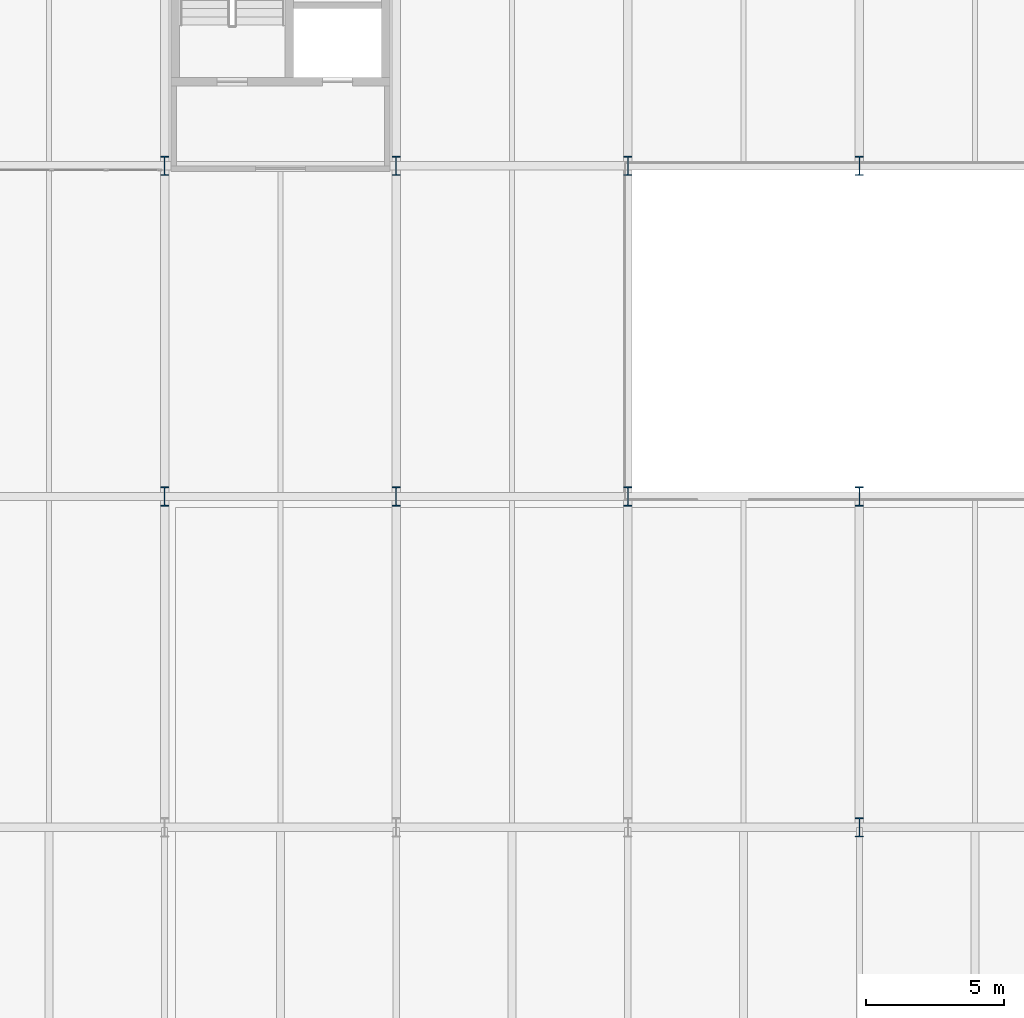
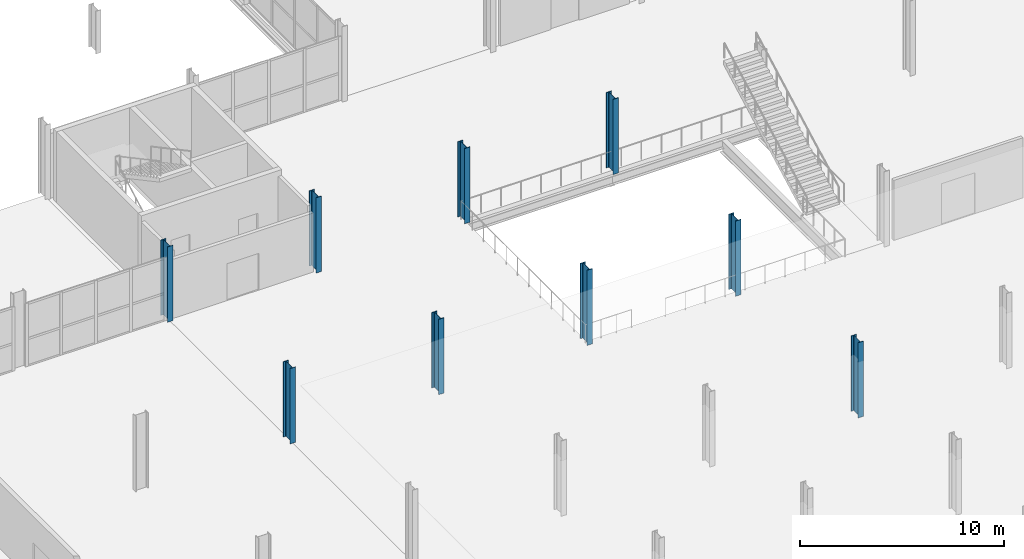
# One storey, part 4 of 113: 9 columns.
"""IFC4 building model written with IfcOpenShell, lengths in metres."""

from ifc_helpers import new_model, si_unit, direction, frame, origin, origin_2d, place, context, subcontext, project, spatial, i_section, extrude, material, material_profile, profile_set, type_object, element, save


model = new_model("IFC4")

# Units and contexts
model_context = context("Model", 3, precision=1e-05, world=origin(), true_north=direction((0.0, 1.0)))
body_context = subcontext(model_context, "Body", "Model", "MODEL_VIEW")
ifc_project = project(units=[si_unit("LENGTHUNIT", "METRE"), si_unit("AREAUNIT", "SQUARE_METRE"), si_unit("VOLUMEUNIT", "CUBIC_METRE"), si_unit("PLANEANGLEUNIT", "RADIAN"), si_unit("MASSUNIT", "GRAM", prefix="KILO")], contexts=[model_context])

# Site, building, storey
site_placement = place(None, origin())
site = spatial("IfcSite", under=ifc_project, at=site_placement, CompositionType="ELEMENT")
building_placement = place(site_placement, origin())
building = spatial("IfcBuilding", under=site, at=building_placement, Name="Veltarok Museum of Natural Sciences", CompositionType="ELEMENT")
storey_placement = place(building_placement, frame((0.0, 0.0, 8.39990234375)))
storey = spatial("IfcBuildingStorey", under=building, at=storey_placement, Name="L01", CompositionType="ELEMENT", Elevation=8.39990234375)

# Columns
ifc_material = material(Name="Steel S355J2", Category="steel")
ifc_material_profile_1 = material_profile(ifc_material, i_section(OverallWidth=0.300048828125, OverallDepth=0.699951171875, WebThickness=0.01708984375, FlangeThickness=0.031982421875, FilletRadius=0.027099609375, at=origin_2d()), Name="HEB 700")
ifc_profile_set_1 = profile_set([ifc_material_profile_1], Name="Steel S355J2")
column_type_1 = type_object("IfcColumnType", Name="Mid-Rise Frame Column HEB 700", PredefinedType="COLUMN", material=ifc_profile_set_1)
for number, where, z_axis, x_axis, name in (
    (1, (40.0, 48.0, 0.0), (0.0, 0.0, 1.0), (1.0, 0.0, 0.0), "Column COL-S03 L01 5/F"),
    (2, (48.39990234375, 48.0, 0.0), (0.0, 0.0, 1.0), (1.0, 0.0, 0.0), "Column COL-S03 L01 6/F"),
    (3, (48.39990234375, 60.0, 0.0), (0.0, 0.0, 1.0), (1.0, 0.0, 0.0), "Column COL-S03 L01 6/G"),
    (4, (56.800048828125, 48.0, 0.0), (0.0, 0.0, 1.0), (1.0, 0.0, 0.0), "Column COL-S03 L01 7/F"),
    (5, (56.800048828125, 60.0, 0.0), (0.0, 0.0, 1.0), (1.0, 0.0, 0.0), "Column COL-S03 L01 7/G"),
    (6, (65.199951171875, 36.0, 0.0), (0.0, 0.0, 1.0), (1.0, 0.0, 0.0), "Column COL-S03 L01 8/E"),
    (7, (65.199951171875, 48.0, 0.0), (0.0, 0.0, 1.0), (1.0, 0.0, 0.0), "Column COL-S03 L01 8/F"),
    (8, (65.199951171875, 60.0, 0.0), (0.0, 0.0, 1.0), (1.0, 0.0, 0.0), "Column COL-S03 L01 8/G"),
):
    element("IfcColumn", number, at=place(storey_placement, frame(where, z_axis=z_axis, x_axis=x_axis)), inside=storey, type_object=column_type_1, Name=name, PredefinedType="COLUMN", context=body_context, shape_type="SweptSolid", body=[
        extrude(i_section(OverallWidth=0.300048828125, OverallDepth=0.699951171875, WebThickness=0.01708984375, FlangeThickness=0.031982421875, FilletRadius=0.027099609375, at=origin_2d()), origin(), (0.0, 0.0, 1.0), 4.5),
    ])
ifc_material_profile_2 = material_profile(ifc_material, i_section(OverallWidth=0.300048828125, OverallDepth=0.699951171875, WebThickness=0.01708984375, FlangeThickness=0.031982421875, FilletRadius=0.027099609375, at=origin_2d()), Name="HEB 700")
ifc_profile_set_2 = profile_set([ifc_material_profile_2], Name="Steel S355J2")
column_type_2 = type_object("IfcColumnType", Name="Perimeter Steel Column HEB 700", PredefinedType="COLUMN", material=ifc_profile_set_2)
column_placement = place(storey_placement, frame((40.0, 60.0, 0.0), z_axis=(0.0, 0.0, 1.0), x_axis=(1.0, 0.0, 0.0)))
element("IfcColumn", 9, at=column_placement, inside=storey, type_object=column_type_2, Name="Column COL-EXT01 L01 5/G", PredefinedType="COLUMN", context=body_context, shape_type="SweptSolid", body=[
    extrude(i_section(OverallWidth=0.300048828125, OverallDepth=0.699951171875, WebThickness=0.01708984375, FlangeThickness=0.031982421875, FilletRadius=0.027099609375, at=origin_2d()), origin(), (0.0, 0.0, 1.0), 4.5),
])

save(model, "model.ifc")
